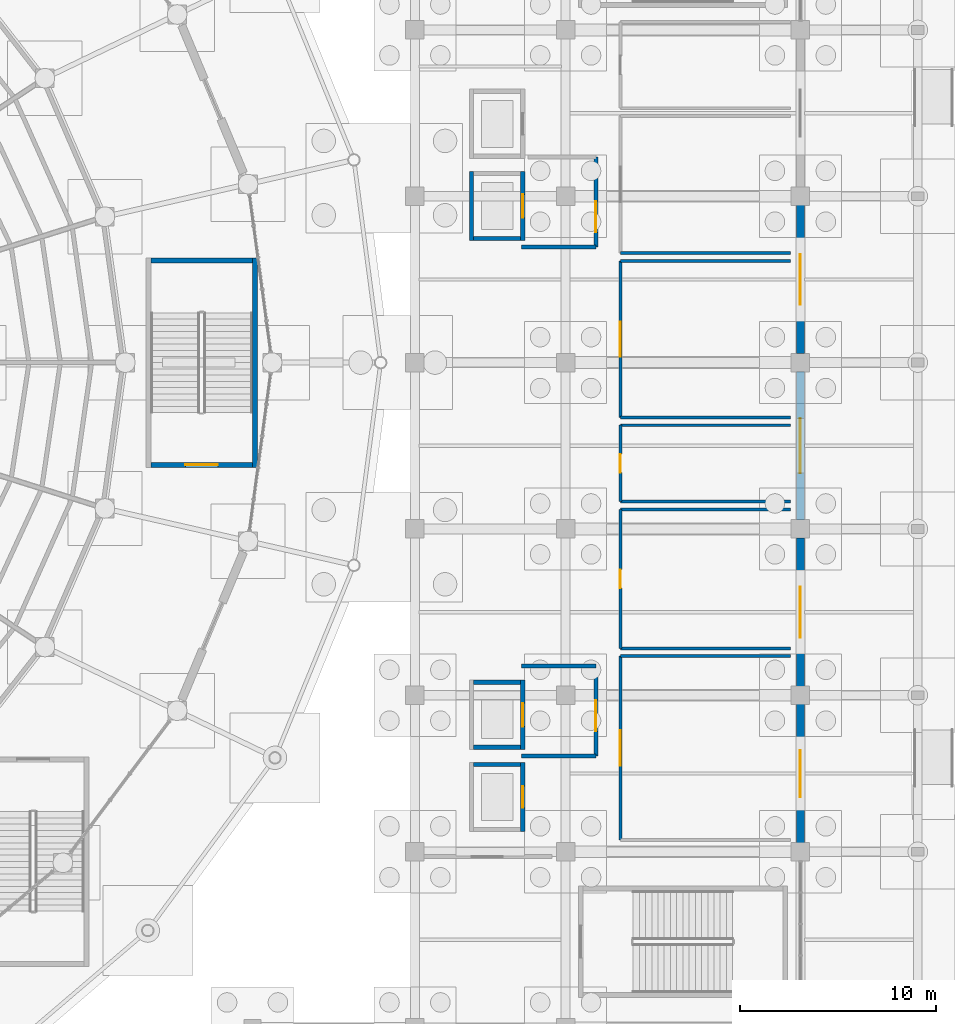
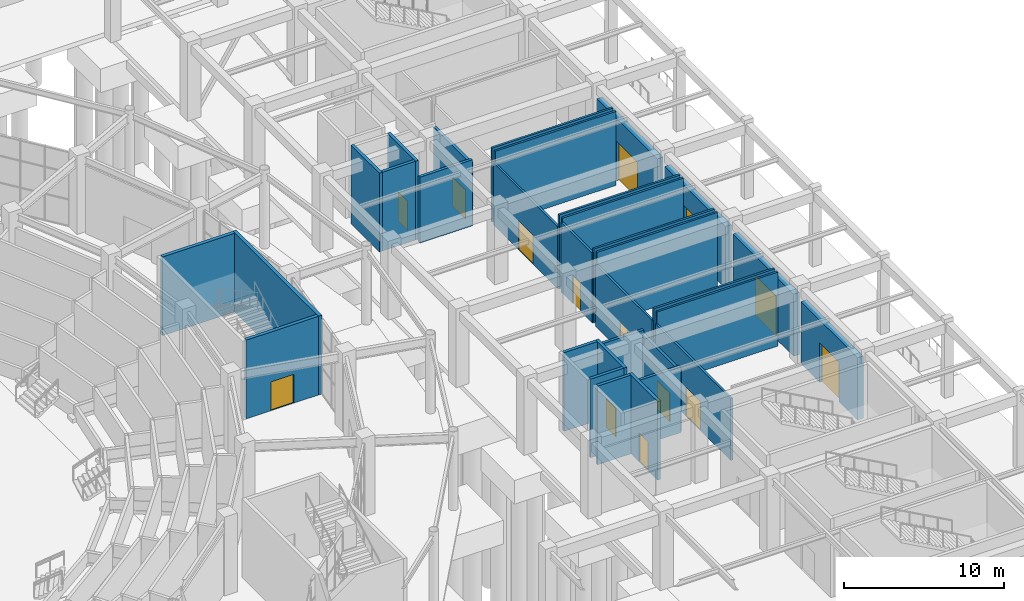
# One storey, part 91 of 121: 32 walls, 14 doors, 14 openings.
"""IFC4 building model written with IfcOpenShell, lengths in metres."""

from ifc_helpers import new_model, si_unit, direction, frame, frame_2d, origin, place, context, subcontext, project, spatial, rectangle, extrude, material, layer, layer_set, type_object, element, fill, save


model = new_model("IFC4")

# Units and contexts
model_context = context("Model", 3, precision=1e-05, world=origin(), true_north=direction((0.0, 1.0)))
body_context = subcontext(model_context, "Body", "Model", "MODEL_VIEW")
ifc_project = project(units=[si_unit("LENGTHUNIT", "METRE"), si_unit("AREAUNIT", "SQUARE_METRE"), si_unit("VOLUMEUNIT", "CUBIC_METRE"), si_unit("PLANEANGLEUNIT", "RADIAN"), si_unit("MASSUNIT", "GRAM", prefix="KILO")], contexts=[model_context])

# Site, building, storey
site_placement = place(None, origin())
site = spatial("IfcSite", under=ifc_project, at=site_placement, CompositionType="ELEMENT")
building_placement = place(site_placement, origin())
building = spatial("IfcBuilding", under=site, at=building_placement, Name="Cuetzalor Civic Arena", CompositionType="ELEMENT")
storey_placement = place(building_placement, origin())
storey = spatial("IfcBuildingStorey", under=building, at=storey_placement, Name="L00", CompositionType="ELEMENT", Elevation=0.0)

# Wall
ifc_material_1 = material(Name="Acoustic steel-stud gypsum partition", Category="steel")
ifc_layer_1 = layer(ifc_material_1, 0.14990234375)
ifc_layer_set_1 = layer_set([ifc_layer_1], Name="Acoustic steel-stud gypsum partition")
wall_type_1 = type_object("IfcWallType", Name="AcousticGypsumPartition_150", PredefinedType="PARTITIONING", material=ifc_layer_set_1)
wall_1_placement = place(storey_placement, frame((66.800048828125, -15.0, 0.0), z_axis=(0.0, 0.0, 1.0), x_axis=(1.0, 0.0, 0.0)))
element("IfcWall", 1, at=wall_1_placement, inside=storey, type_object=wall_type_1, Name="Interior Partition IWALL:L00:0110", PredefinedType="PARTITIONING", context=body_context, shape_type="SweptSolid", body=[
    extrude(rectangle(XDim=8.699951171875, YDim=0.14990234375, at=frame_2d((4.35009765625, 0.0))), origin(), (0.0, 0.0, 1.0), 5.639892578125),
])

# Wall, opening, door
wall_2_placement = place(storey_placement, frame((66.800048828125, -24.39990234375, 0.0), z_axis=(0.0, 0.0, 1.0), x_axis=(0.0, 1.0, 0.0)))
wall_2 = element("IfcWall", 2, at=wall_2_placement, inside=storey, type_object=wall_type_1, Name="Interior Partition IWALL:L00:0112", PredefinedType="PARTITIONING", context=body_context, shape_type="SweptSolid", body=[
    extrude(rectangle(XDim=9.39990234375, YDim=0.14990234375, at=frame_2d((4.699951171875, 0.0))), origin(), (0.0, 0.0, 1.0), 4.72509765625),
])
opening_1_placement = place(wall_2_placement, frame((3.800048828125, 0.0, 0.0)))
opening_1 = element("IfcOpeningElement", 3, at=opening_1_placement, cuts=wall_2, Name="Opening ID-06", PredefinedType="OPENING", context=body_context, shape_type="SweptSolid", body=[
    extrude(rectangle(XDim=1.800048828125, YDim=2.199951171875, at=frame_2d((0.89990234375, 1.10009765625))), frame((0.0, 0.0849609375, 0.0), z_axis=(0.0, -1.0, 0.0), x_axis=(1.0, 0.0, 0.0)), (0.0, 0.0, 1.0), 0.169921875),
])
ifc_material_2 = material(Name="Glazed bronze acoustic double door", Category="metal")
door_type_1 = type_object("IfcDoorType", Name="PublicDoubleDoor_1800x2200", OperationType="DOUBLE_DOOR_SINGLE_SWING", PredefinedType="DOOR", material=ifc_material_2)
door_1_placement = place(opening_1_placement, origin())
door_1 = element("IfcDoor", 4, at=door_1_placement, inside=storey, type_object=door_type_1, Name="Door to Concessions Hall East South L00", OperationType="DOUBLE_DOOR_SINGLE_SWING", OverallHeight=2.199951171875, OverallWidth=1.800048828125, PredefinedType="DOOR", context=body_context, shape_type="SweptSolid", body=[
    extrude(rectangle(XDim=1.800048828125, YDim=2.199951171875, at=frame_2d((0.89990234375, 1.10009765625))), frame((0.0, 0.02490234375, 0.0), z_axis=(0.0, -1.0, 0.0), x_axis=(1.0, 0.0, 0.0)), (0.0, 0.0, 1.0), 0.050048828125),
])
fill(opening_1, door_1)

# Walls
for number, where, z_axis, x_axis, name in (
    (5, (66.800048828125, -7.5, 0.0), (0.0, 0.0, 1.0), (1.0, 0.0, 0.0), "Interior Partition IWALL:L00:0113"),
    (6, (75.5, -14.60009765625, 0.0), (0.0, 0.0, 1.0), (-1.0, 0.0, 0.0), "Interior Partition IWALL:L00:0114"),
):
    element("IfcWall", number, at=place(storey_placement, frame(where, z_axis=z_axis, x_axis=x_axis)), inside=storey, type_object=wall_type_1, Name=name, PredefinedType="PARTITIONING", context=body_context, shape_type="SweptSolid", body=[
        extrude(rectangle(XDim=8.699951171875, YDim=0.14990234375, at=frame_2d((4.35009765625, 0.0))), origin(), (0.0, 0.0, 1.0), 5.639892578125),
    ])

# Wall, opening, door
wall_3_placement = place(storey_placement, frame((66.800048828125, -14.60009765625, 0.0), z_axis=(0.0, 0.0, 1.0), x_axis=(0.0, 1.0, 0.0)))
wall_3 = element("IfcWall", 7, at=wall_3_placement, inside=storey, type_object=wall_type_1, Name="Interior Partition IWALL:L00:0115", PredefinedType="PARTITIONING", context=body_context, shape_type="SweptSolid", body=[
    extrude(rectangle(XDim=7.10009765625, YDim=0.14990234375, at=frame_2d((3.550048828125, 0.0))), origin(), (0.0, 0.0, 1.0), 4.72509765625),
])
opening_2_placement = place(wall_3_placement, frame((3.074951171875, 0.0, 0.0)))
opening_2 = element("IfcOpeningElement", 8, at=opening_2_placement, cuts=wall_3, Name="Opening ID-03", PredefinedType="OPENING", context=body_context, shape_type="SweptSolid", body=[
    extrude(rectangle(XDim=0.949951171875, YDim=2.14990234375, at=frame_2d((0.47509765625, 1.074951171875))), frame((0.0, 0.0849609375, 0.0), z_axis=(0.0, -1.0, 0.0), x_axis=(1.0, 0.0, 0.0)), (0.0, 0.0, 1.0), 0.169921875),
])
ifc_material_3 = material(Name="Painted steel frame and solid timber leaf", Category="steel")
door_type_2 = type_object("IfcDoorType", Name="InteriorSingleDoor_950x2150", OperationType="NOTDEFINED", PredefinedType="DOOR", material=ifc_material_3)
door_2_placement = place(opening_2_placement, origin())
door_2 = element("IfcDoor", 9, at=door_2_placement, inside=storey, type_object=door_type_2, Name="Door to Public Restroom East South L00", OperationType="SINGLE_SWING_RIGHT", OverallHeight=2.14990234375, OverallWidth=0.949951171875, PredefinedType="DOOR", context=body_context, shape_type="SweptSolid", body=[
    extrude(rectangle(XDim=0.949951171875, YDim=2.14990234375, at=frame_2d((0.47509765625, 1.074951171875))), frame((0.0, 0.02490234375, 0.0), z_axis=(0.0, -1.0, 0.0), x_axis=(1.0, 0.0, 0.0)), (0.0, 0.0, 1.0), 0.050048828125),
])
fill(opening_2, door_2)

# Walls
for number, where, z_axis, x_axis, name in (
    (10, (66.800048828125, -3.199951171875, 0.0), (0.0, 0.0, 1.0), (1.0, 0.0, 0.0), "Interior Partition IWALL:L00:0116"),
    (11, (75.5, -7.10009765625, 0.0), (0.0, 0.0, 1.0), (-1.0, 0.0, 0.0), "Interior Partition IWALL:L00:0117"),
):
    element("IfcWall", number, at=place(storey_placement, frame(where, z_axis=z_axis, x_axis=x_axis)), inside=storey, type_object=wall_type_1, Name=name, PredefinedType="PARTITIONING", context=body_context, shape_type="SweptSolid", body=[
        extrude(rectangle(XDim=8.699951171875, YDim=0.14990234375, at=frame_2d((4.35009765625, 0.0))), origin(), (0.0, 0.0, 1.0), 5.639892578125),
    ])

# Wall, opening, door
wall_4_placement = place(storey_placement, frame((66.800048828125, -7.10009765625, 0.0), z_axis=(0.0, 0.0, 1.0), x_axis=(0.0, 1.0, 0.0)))
wall_4 = element("IfcWall", 12, at=wall_4_placement, inside=storey, type_object=wall_type_1, Name="Interior Partition IWALL:L00:0118", PredefinedType="PARTITIONING", context=body_context, shape_type="SweptSolid", body=[
    extrude(rectangle(XDim=3.900146484375, YDim=0.14990234375, at=frame_2d((1.9501953125, 0.0))), origin(), (0.0, 0.0, 1.0), 5.320068359375),
])
opening_3_placement = place(wall_4_placement, frame((1.47509765625, 0.0, 0.0)))
opening_3 = element("IfcOpeningElement", 13, at=opening_3_placement, cuts=wall_4, Name="Opening ID-03", PredefinedType="OPENING", context=body_context, shape_type="SweptSolid", body=[
    extrude(rectangle(XDim=0.949951171875, YDim=2.14990234375, at=frame_2d((0.47509765625, 1.074951171875))), frame((0.0, 0.0849609375, 0.0), z_axis=(0.0, -1.0, 0.0), x_axis=(1.0, 0.0, 0.0)), (0.0, 0.0, 1.0), 0.169921875),
])
door_3_placement = place(opening_3_placement, origin())
door_3 = element("IfcDoor", 14, at=door_3_placement, inside=storey, type_object=door_type_2, Name="Door to Accessible WC East South L00", OperationType="SINGLE_SWING_LEFT", OverallHeight=2.14990234375, OverallWidth=0.949951171875, PredefinedType="DOOR", context=body_context, shape_type="SweptSolid", body=[
    extrude(rectangle(XDim=0.949951171875, YDim=2.14990234375, at=frame_2d((0.47509765625, 1.074951171875))), frame((0.0, 0.02490234375, 0.0), z_axis=(0.0, -1.0, 0.0), x_axis=(1.0, 0.0, 0.0)), (0.0, 0.0, 1.0), 0.050048828125),
])
fill(opening_3, door_3)

# Walls
for number, where, z_axis, x_axis, name in (
    (15, (66.800048828125, 5.199951171875, 0.0), (0.0, 0.0, 1.0), (1.0, 0.0, 0.0), "Interior Partition IWALL:L00:0119"),
    (16, (75.5, -2.800048828125, 0.0), (0.0, 0.0, 1.0), (-1.0, 0.0, 0.0), "Interior Partition IWALL:L00:0120"),
):
    element("IfcWall", number, at=place(storey_placement, frame(where, z_axis=z_axis, x_axis=x_axis)), inside=storey, type_object=wall_type_1, Name=name, PredefinedType="PARTITIONING", context=body_context, shape_type="SweptSolid", body=[
        extrude(rectangle(XDim=8.699951171875, YDim=0.14990234375, at=frame_2d((4.35009765625, 0.0))), origin(), (0.0, 0.0, 1.0), 5.639892578125),
    ])

# Wall, opening, door
wall_5_placement = place(storey_placement, frame((66.800048828125, -2.800048828125, 0.0), z_axis=(0.0, 0.0, 1.0), x_axis=(0.0, 1.0, 0.0)))
wall_5 = element("IfcWall", 17, at=wall_5_placement, inside=storey, type_object=wall_type_1, Name="Interior Partition IWALL:L00:0121", PredefinedType="PARTITIONING", context=body_context, shape_type="SweptSolid", body=[
    extrude(rectangle(XDim=8.0, YDim=0.14990234375, at=frame_2d((4.0, 0.0))), origin(), (0.0, 0.0, 1.0), 4.72509765625),
])
opening_4_placement = place(wall_5_placement, frame((3.10009765625, 0.0, 0.0)))
opening_4 = element("IfcOpeningElement", 18, at=opening_4_placement, cuts=wall_5, Name="Opening ID-06", PredefinedType="OPENING", context=body_context, shape_type="SweptSolid", body=[
    extrude(rectangle(XDim=1.800048828125, YDim=2.199951171875, at=frame_2d((0.89990234375, 1.10009765625))), frame((0.0, 0.0849609375, 0.0), z_axis=(0.0, -1.0, 0.0), x_axis=(1.0, 0.0, 0.0)), (0.0, 0.0, 1.0), 0.169921875),
])
door_4_placement = place(opening_4_placement, origin())
door_4 = element("IfcDoor", 19, at=door_4_placement, inside=storey, type_object=door_type_1, Name="Door to Merchandising Pavilion East L00", OperationType="DOUBLE_DOOR_SINGLE_SWING", OverallHeight=2.199951171875, OverallWidth=1.800048828125, PredefinedType="DOOR", context=body_context, shape_type="SweptSolid", body=[
    extrude(rectangle(XDim=1.800048828125, YDim=2.199951171875, at=frame_2d((0.89990234375, 1.10009765625))), frame((0.0, 0.02490234375, 0.0), z_axis=(0.0, -1.0, 0.0), x_axis=(1.0, 0.0, 0.0)), (0.0, 0.0, 1.0), 0.050048828125),
])
fill(opening_4, door_4)

# Wall
wall_6_placement = place(storey_placement, frame((75.5, 5.60009765625, 0.0), z_axis=(0.0, 0.0, 1.0), x_axis=(-1.0, 0.0, 0.0)))
element("IfcWall", 20, at=wall_6_placement, inside=storey, type_object=wall_type_1, Name="Interior Partition IWALL:L00:0123", PredefinedType="PARTITIONING", context=body_context, shape_type="SweptSolid", body=[
    extrude(rectangle(XDim=8.699951171875, YDim=0.14990234375, at=frame_2d((4.35009765625, 0.0))), origin(), (0.0, 0.0, 1.0), 5.639892578125),
])

# Wall, opening, door
ifc_material_4 = material(Name="Puebla cantera gris stone on Concrete C35/45", Category="masonry")
ifc_layer_2 = layer(ifc_material_4, 0.419921875)
ifc_layer_set_2 = layer_set([ifc_layer_2], Name="Puebla cantera gris stone on Concrete C35/45")
wall_type_2 = type_object("IfcWallType", Name="CanteraStoneArcadeWall_420", PredefinedType="SOLIDWALL", material=ifc_layer_set_2)
wall_7_placement = place(storey_placement, frame((76.0, -17.45703125, 0.0), z_axis=(0.0, 0.0, 1.0), x_axis=(0.0, -1.0, 0.0)))
wall_7 = element("IfcWall", 21, at=wall_7_placement, inside=storey, type_object=wall_type_2, Name="V4E Colonnade Entrance Wall L00-154", PredefinedType="SOLIDWALL", context=body_context, shape_type="SweptSolid", body=[
    extrude(rectangle(XDim=7.0859375, YDim=0.419921875, at=frame_2d((3.54296875, 0.0))), origin(), (0.0, 0.0, 1.0), 4.739990234375),
])
opening_5_placement = place(wall_7_placement, frame((2.343017578125, 0.0, 0.0)))
opening_5 = element("IfcOpeningElement", 22, at=opening_5_placement, cuts=wall_7, Name="Opening ED-01", PredefinedType="OPENING", context=body_context, shape_type="SweptSolid", body=[
    extrude(rectangle(XDim=2.39990234375, YDim=3.0, at=frame_2d((1.199951171875, 1.5))), frame((0.0, 0.219970703125, 0.0), z_axis=(0.0, -1.0, 0.0), x_axis=(1.0, 0.0, 0.0)), (0.0, 0.0, 1.0), 0.43994140625),
])
ifc_material_5 = material(Name="Thermally broken bronze steel and laminated glass", Category="steel")
door_type_3 = type_object("IfcDoorType", Name="MainColonnadeEntrance_2400x3000", OperationType="DOUBLE_DOOR_SINGLE_SWING", PredefinedType="DOOR", material=ifc_material_5)
door_5_placement = place(opening_5_placement, origin())
door_5 = element("IfcDoor", 23, at=door_5_placement, inside=storey, type_object=door_type_3, Name="Main entrance E12", OperationType="DOUBLE_DOOR_SINGLE_SWING", OverallHeight=3.0, OverallWidth=2.39990234375, PredefinedType="DOOR", context=body_context, shape_type="SweptSolid", body=[
    extrude(rectangle(XDim=2.39990234375, YDim=3.0, at=frame_2d((1.199951171875, 1.5))), frame((0.0, 0.02490234375, 0.0), z_axis=(0.0, -1.0, 0.0), x_axis=(1.0, 0.0, 0.0)), (0.0, 0.0, 1.0), 0.050048828125),
])
fill(opening_5, door_5)

wall_8_placement = place(storey_placement, frame((76.0, -8.95703125, 0.0), z_axis=(0.0, 0.0, 1.0), x_axis=(0.0, -1.0, 0.0)))
wall_8 = element("IfcWall", 24, at=wall_8_placement, inside=storey, type_object=wall_type_2, Name="V4E Colonnade Entrance Wall L00-155", PredefinedType="SOLIDWALL", context=body_context, shape_type="SweptSolid", body=[
    extrude(rectangle(XDim=7.5859375, YDim=0.419921875, at=frame_2d((3.79296875, 0.0))), origin(), (0.0, 0.0, 1.0), 4.739990234375),
])
opening_6_placement = place(wall_8_placement, frame((2.492919921875, 0.0, 0.0)))
opening_6 = element("IfcOpeningElement", 25, at=opening_6_placement, cuts=wall_8, Name="Opening ED-02", PredefinedType="OPENING", context=body_context, shape_type="SweptSolid", body=[
    extrude(rectangle(XDim=2.60009765625, YDim=3.0, at=frame_2d((1.300048828125, 1.5))), frame((0.0, 0.219970703125, 0.0), z_axis=(0.0, -1.0, 0.0), x_axis=(1.0, 0.0, 0.0)), (0.0, 0.0, 1.0), 0.43994140625),
])
ifc_material_6 = material(Name="Thermally broken bronze steel and laminated glass", Category="steel")
door_type_4 = type_object("IfcDoorType", Name="MainColonnadeEntrance_2600x3000", OperationType="DOUBLE_DOOR_SINGLE_SWING", PredefinedType="DOOR", material=ifc_material_6)
door_6_placement = place(opening_6_placement, origin())
door_6 = element("IfcDoor", 26, at=door_6_placement, inside=storey, type_object=door_type_4, Name="Main entrance E13", OperationType="DOUBLE_DOOR_SINGLE_SWING", OverallHeight=3.0, OverallWidth=2.60009765625, PredefinedType="DOOR", context=body_context, shape_type="SweptSolid", body=[
    extrude(rectangle(XDim=2.60009765625, YDim=3.0, at=frame_2d((1.300048828125, 1.5))), frame((0.0, 0.02490234375, 0.0), z_axis=(0.0, -1.0, 0.0), x_axis=(1.0, 0.0, 0.0)), (0.0, 0.0, 1.0), 0.050048828125),
])
fill(opening_6, door_6)

wall_9_placement = place(storey_placement, frame((76.0, -0.45703125, 0.0), z_axis=(0.0, 0.0, 1.0), x_axis=(0.0, -1.0, 0.0)))
wall_9 = element("IfcWall", 27, at=wall_9_placement, inside=storey, type_object=wall_type_2, Name="V4E Colonnade Entrance Wall L00-156", PredefinedType="SOLIDWALL", context=body_context, shape_type="SweptSolid", body=[
    extrude(rectangle(XDim=7.5859375, YDim=0.419921875, at=frame_2d((3.79296875, 0.0))), origin(), (0.0, 0.0, 1.0), 4.739990234375),
])
opening_7_placement = place(wall_9_placement, frame((2.39306640625, 0.0, 0.0)))
opening_7 = element("IfcOpeningElement", 28, at=opening_7_placement, cuts=wall_9, Name="Opening ED-03", PredefinedType="OPENING", context=body_context, shape_type="SweptSolid", body=[
    extrude(rectangle(XDim=2.800048828125, YDim=3.199951171875, at=frame_2d((1.39990234375, 1.60009765625))), frame((0.0, 0.219970703125, 0.0), z_axis=(0.0, -1.0, 0.0), x_axis=(1.0, 0.0, 0.0)), (0.0, 0.0, 1.0), 0.43994140625),
])
ifc_material_7 = material(Name="Thermally broken bronze steel and laminated glass", Category="steel")
door_type_5 = type_object("IfcDoorType", Name="MainColonnadeEntrance_2800x3200", OperationType="DOUBLE_DOOR_SINGLE_SWING", PredefinedType="DOOR", material=ifc_material_7)
door_7_placement = place(opening_7_placement, origin())
door_7 = element("IfcDoor", 29, at=door_7_placement, inside=storey, type_object=door_type_5, Name="Main entrance E14", OperationType="DOUBLE_DOOR_SINGLE_SWING", OverallHeight=3.199951171875, OverallWidth=2.800048828125, PredefinedType="DOOR", context=body_context, shape_type="SweptSolid", body=[
    extrude(rectangle(XDim=2.800048828125, YDim=3.199951171875, at=frame_2d((1.39990234375, 1.60009765625))), frame((0.0, 0.02490234375, 0.0), z_axis=(0.0, -1.0, 0.0), x_axis=(1.0, 0.0, 0.0)), (0.0, 0.0, 1.0), 0.050048828125),
])
fill(opening_7, door_7)

wall_10_placement = place(storey_placement, frame((76.0, 8.04296875, 0.0), z_axis=(0.0, 0.0, 1.0), x_axis=(0.0, -1.0, 0.0)))
wall_10 = element("IfcWall", 30, at=wall_10_placement, inside=storey, type_object=wall_type_2, Name="V4E Colonnade Entrance Wall L00-157", PredefinedType="SOLIDWALL", context=body_context, shape_type="SweptSolid", body=[
    extrude(rectangle(XDim=7.5859375, YDim=0.419921875, at=frame_2d((3.79296875, 0.0))), origin(), (0.0, 0.0, 1.0), 4.739990234375),
])
opening_8_placement = place(wall_10_placement, frame((2.492919921875, 0.0, 0.0)))
opening_8 = element("IfcOpeningElement", 31, at=opening_8_placement, cuts=wall_10, Name="Opening ED-02", PredefinedType="OPENING", context=body_context, shape_type="SweptSolid", body=[
    extrude(rectangle(XDim=2.60009765625, YDim=3.0, at=frame_2d((1.300048828125, 1.5))), frame((0.0, 0.219970703125, 0.0), z_axis=(0.0, -1.0, 0.0), x_axis=(1.0, 0.0, 0.0)), (0.0, 0.0, 1.0), 0.43994140625),
])
door_8_placement = place(opening_8_placement, origin())
door_8 = element("IfcDoor", 32, at=door_8_placement, inside=storey, type_object=door_type_4, Name="Main entrance E15", OperationType="DOUBLE_DOOR_SINGLE_SWING", OverallHeight=3.0, OverallWidth=2.60009765625, PredefinedType="DOOR", context=body_context, shape_type="SweptSolid", body=[
    extrude(rectangle(XDim=2.60009765625, YDim=3.0, at=frame_2d((1.300048828125, 1.5))), frame((0.0, 0.02490234375, 0.0), z_axis=(0.0, -1.0, 0.0), x_axis=(1.0, 0.0, 0.0)), (0.0, 0.0, 1.0), 0.050048828125),
])
fill(opening_8, door_8)

# Walls
ifc_material_8 = material(Name="Concrete C40/50", Category="concrete")
ifc_layer_3 = layer(ifc_material_8, 0.25)
ifc_layer_set_3 = layer_set([ifc_layer_3], Name="Concrete C40/50")
wall_type_3 = type_object("IfcWallType", Name="ConcreteCoreShearWall_250", PredefinedType="SHEAR", material=ifc_layer_set_3)
wall_11_placement = place(storey_placement, frame((42.800048828125, 5.22509765625, 0.0), z_axis=(0.0, 0.0, 1.0), x_axis=(1.0, 0.0, 0.0)))
element("IfcWall", 33, at=wall_11_placement, inside=storey, type_object=wall_type_3, Name="Stair Core Shear Wall ST-01-L00-N", PredefinedType="SHEAR", context=body_context, shape_type="SweptSolid", body=[
    extrude(rectangle(XDim=5.199951171875, YDim=0.25, at=frame_2d((2.60009765625, 0.0))), origin(), (0.0, 0.0, 1.0), 6.0),
])
wall_12_placement = place(storey_placement, frame((48.125, 5.35009765625, 0.0), z_axis=(0.0, 0.0, 1.0), x_axis=(0.0, -1.0, 0.0)))
element("IfcWall", 34, at=wall_12_placement, inside=storey, type_object=wall_type_3, Name="Stair Core Shear Wall ST-01-L00-E", PredefinedType="SHEAR", context=body_context, shape_type="SweptSolid", body=[
    extrude(rectangle(XDim=10.7001953125, YDim=0.25, at=frame_2d((5.35009765625, 0.0))), origin(), (0.0, 0.0, 1.0), 6.0),
])

# Wall, opening, door
wall_13_placement = place(storey_placement, frame((48.0, -5.22509765625, 0.0), z_axis=(0.0, 0.0, 1.0), x_axis=(-1.0, 0.0, 0.0)))
wall_13 = element("IfcWall", 35, at=wall_13_placement, inside=storey, type_object=wall_type_3, Name="Stair Core Shear Wall ST-01-L00-S", PredefinedType="SHEAR", context=body_context, shape_type="SweptSolid", body=[
    extrude(rectangle(XDim=5.199951171875, YDim=0.25, at=frame_2d((2.60009765625, 0.0))), origin(), (0.0, 0.0, 1.0), 6.0),
])
opening_9_placement = place(wall_13_placement, frame((1.77490234375, 0.0, 0.0)))
opening_9 = element("IfcOpeningElement", 36, at=opening_9_placement, cuts=wall_13, Name="Opening FD-04", PredefinedType="OPENING", context=body_context, shape_type="SweptSolid", body=[
    extrude(rectangle(XDim=1.64990234375, YDim=2.199951171875, at=frame_2d((0.824951171875, 1.10009765625))), frame((0.0, 0.135009765625, 0.0), z_axis=(0.0, -1.0, 0.0), x_axis=(1.0, 0.0, 0.0)), (0.0, 0.0, 1.0), 0.27001953125),
])
ifc_material_9 = material(Name="Fire-rated steel stair exit double door", Category="steel")
door_type_6 = type_object("IfcDoorType", Name="StairFireDoubleDoor_1650x2200", OperationType="DOUBLE_DOOR_SINGLE_SWING", PredefinedType="DOOR", material=ifc_material_9)
door_9_placement = place(opening_9_placement, origin())
door_9 = element("IfcDoor", 37, at=door_9_placement, inside=storey, type_object=door_type_6, Name="Fire Stair Door ST-01 L00", OperationType="DOUBLE_DOOR_SINGLE_SWING", OverallHeight=2.199951171875, OverallWidth=1.64990234375, PredefinedType="DOOR", context=body_context, shape_type="SweptSolid", body=[
    extrude(rectangle(XDim=1.64990234375, YDim=2.199951171875, at=frame_2d((0.824951171875, 1.10009765625))), frame((0.0, 0.02490234375, 0.0), z_axis=(0.0, -1.0, 0.0), x_axis=(1.0, 0.0, 0.0)), (0.0, 0.0, 1.0), 0.050048828125),
])
fill(opening_9, door_9)

ifc_material_10 = material(Name="Fire-rated masonry and gypsum partition", Category="masonry")
ifc_layer_4 = layer(ifc_material_10, 0.199951171875)
ifc_layer_set_4 = layer_set([ifc_layer_4], Name="Fire-rated masonry and gypsum partition")
wall_type_4 = type_object("IfcWallType", Name="FireCompartmentWall_200", PredefinedType="PARTITIONING", material=ifc_layer_set_4)
wall_14_placement = place(storey_placement, frame((65.550048828125, -15.5, 0.0), z_axis=(0.0, 0.0, 1.0), x_axis=(0.0, -1.0, 0.0)))
wall_14 = element("IfcWall", 38, at=wall_14_placement, inside=storey, type_object=wall_type_4, Name="Interior Partition IWALL:L00:0037", PredefinedType="PARTITIONING", context=body_context, shape_type="SweptSolid", body=[
    extrude(rectangle(XDim=4.60009765625, YDim=0.199951171875, at=frame_2d((2.300048828125, 0.0))), origin(), (0.0, 0.0, 1.0), 4.72509765625),
])
opening_10_placement = place(wall_14_placement, frame((1.75, 0.0, 0.0)))
opening_10 = element("IfcOpeningElement", 39, at=opening_10_placement, cuts=wall_14, Name="Opening FD-05", PredefinedType="OPENING", context=body_context, shape_type="SweptSolid", body=[
    extrude(rectangle(XDim=1.60009765625, YDim=2.199951171875, at=frame_2d((0.800048828125, 1.10009765625))), frame((0.0, 0.10986328125, 0.0), z_axis=(0.0, -1.0, 0.0), x_axis=(1.0, 0.0, 0.0)), (0.0, 0.0, 1.0), 0.219970703125),
])
ifc_material_11 = material(Name="Fire-rated smoke-seal lobby double door", Category="steel")
door_type_7 = type_object("IfcDoorType", Name="FireLobbyDoubleDoor_1600x2200", OperationType="DOUBLE_DOOR_SINGLE_SWING", PredefinedType="DOOR", material=ifc_material_11)
door_10_placement = place(opening_10_placement, origin())
door_10 = element("IfcDoor", 40, at=door_10_placement, inside=storey, type_object=door_type_7, Name="Door to Firefighting Lift Lobby LF-03 L00", OperationType="DOUBLE_DOOR_SINGLE_SWING", OverallHeight=2.199951171875, OverallWidth=1.60009765625, PredefinedType="DOOR", context=body_context, shape_type="SweptSolid", body=[
    extrude(rectangle(XDim=1.60009765625, YDim=2.199951171875, at=frame_2d((0.800048828125, 1.10009765625))), frame((0.0, 0.02490234375, 0.0), z_axis=(0.0, -1.0, 0.0), x_axis=(1.0, 0.0, 0.0)), (0.0, 0.0, 1.0), 0.050048828125),
])
fill(opening_10, door_10)

# Walls
for number, where, z_axis, x_axis, name in (
    (41, (61.75, -15.5, 0.0), (0.0, 0.0, 1.0), (1.0, 0.0, 0.0), "Interior Partition IWALL:L00:0038"),
    (42, (65.550048828125, -20.10009765625, 0.0), (0.0, 0.0, 1.0), (-1.0, 0.0, 0.0), "Interior Partition IWALL:L00:0039"),
):
    element("IfcWall", number, at=place(storey_placement, frame(where, z_axis=z_axis, x_axis=x_axis)), inside=storey, type_object=wall_type_4, Name=name, PredefinedType="PARTITIONING", context=body_context, shape_type="SweptSolid", body=[
        extrude(rectangle(XDim=3.800048828125, YDim=0.199951171875, at=frame_2d((1.89990234375, 0.0))), origin(), (0.0, 0.0, 1.0), 5.02490234375),
    ])

# Wall, opening, door
wall_15_placement = place(storey_placement, frame((65.550048828125, 10.5, 0.0), z_axis=(0.0, 0.0, 1.0), x_axis=(0.0, -1.0, 0.0)))
wall_15 = element("IfcWall", 43, at=wall_15_placement, inside=storey, type_object=wall_type_4, Name="Interior Partition IWALL:L00:0055", PredefinedType="PARTITIONING", context=body_context, shape_type="SweptSolid", body=[
    extrude(rectangle(XDim=4.60009765625, YDim=0.199951171875, at=frame_2d((2.300048828125, 0.0))), origin(), (0.0, 0.0, 1.0), 4.72509765625),
])
opening_11_placement = place(wall_15_placement, frame((2.25, 0.0, 0.0)))
opening_11 = element("IfcOpeningElement", 44, at=opening_11_placement, cuts=wall_15, Name="Opening FD-05", PredefinedType="OPENING", context=body_context, shape_type="SweptSolid", body=[
    extrude(rectangle(XDim=1.60009765625, YDim=2.199951171875, at=frame_2d((0.800048828125, 1.10009765625))), frame((0.0, 0.10986328125, 0.0), z_axis=(0.0, -1.0, 0.0), x_axis=(1.0, 0.0, 0.0)), (0.0, 0.0, 1.0), 0.219970703125),
])
door_11_placement = place(opening_11_placement, origin())
door_11 = element("IfcDoor", 45, at=door_11_placement, inside=storey, type_object=door_type_7, Name="Door to Firefighting Lift Lobby LF-04 L00", OperationType="DOUBLE_DOOR_SINGLE_SWING", OverallHeight=2.199951171875, OverallWidth=1.60009765625, PredefinedType="DOOR", context=body_context, shape_type="SweptSolid", body=[
    extrude(rectangle(XDim=1.60009765625, YDim=2.199951171875, at=frame_2d((0.800048828125, 1.10009765625))), frame((0.0, 0.02490234375, 0.0), z_axis=(0.0, -1.0, 0.0), x_axis=(1.0, 0.0, 0.0)), (0.0, 0.0, 1.0), 0.050048828125),
])
fill(opening_11, door_11)

# Walls
wall_16_placement = place(storey_placement, frame((65.550048828125, 5.89990234375, 0.0), z_axis=(0.0, 0.0, 1.0), x_axis=(-1.0, 0.0, 0.0)))
element("IfcWall", 46, at=wall_16_placement, inside=storey, type_object=wall_type_4, Name="Interior Partition IWALL:L00:0057", PredefinedType="PARTITIONING", context=body_context, shape_type="SweptSolid", body=[
    extrude(rectangle(XDim=3.800048828125, YDim=0.199951171875, at=frame_2d((1.89990234375, 0.0))), origin(), (0.0, 0.0, 1.0), 5.02490234375),
])
ifc_material_12 = material(Name="Concrete C40/50", Category="concrete")
ifc_layer_5 = layer(ifc_material_12, 0.219970703125)
ifc_layer_set_5 = layer_set([ifc_layer_5], Name="Concrete C40/50")
wall_type_5 = type_object("IfcWallType", Name="LiftShaftShearWall_220", PredefinedType="SHEAR", material=ifc_layer_set_5)
wall_17_placement = place(storey_placement, frame((59.300048828125, -16.340087890625, 0.0), z_axis=(0.0, 0.0, 1.0), x_axis=(1.0, 0.0, 0.0)))
element("IfcWall", 47, at=wall_17_placement, inside=storey, type_object=wall_type_5, Name="Lift Shaft Wall LF-03-L00-N", PredefinedType="SHEAR", context=body_context, shape_type="SweptSolid", body=[
    extrude(rectangle(XDim=2.39990234375, YDim=0.219970703125, at=frame_2d((1.199951171875, 0.0))), origin(), (0.0, 0.0, 1.0), 6.0),
])

# Wall, opening, door
wall_18_placement = place(storey_placement, frame((61.81005859375, -16.22998046875, 0.0), z_axis=(0.0, 0.0, 1.0), x_axis=(0.0, -1.0, 0.0)))
wall_18 = element("IfcWall", 48, at=wall_18_placement, inside=storey, type_object=wall_type_5, Name="Lift Shaft Wall LF-03-L00-E", PredefinedType="SHEAR", context=body_context, shape_type="SweptSolid", body=[
    extrude(rectangle(XDim=3.5400390625, YDim=0.219970703125, at=frame_2d((1.77001953125, 0.0))), origin(), (0.0, 0.0, 1.0), 6.0),
])
opening_12_placement = place(wall_18_placement, frame((1.169921875, 0.0, 0.0)))
opening_12 = element("IfcOpeningElement", 49, at=opening_12_placement, cuts=wall_18, Name="Opening LD-02", PredefinedType="OPENING", context=body_context, shape_type="SweptSolid", body=[
    extrude(rectangle(XDim=1.199951171875, YDim=2.199951171875, at=frame_2d((0.60009765625, 1.10009765625))), frame((0.0, 0.1201171875, 0.0), z_axis=(0.0, -1.0, 0.0), x_axis=(1.0, 0.0, 0.0)), (0.0, 0.0, 1.0), 0.239990234375),
])
ifc_material_13 = material(Name="Fire-rated stainless steel sliding lift landing door", Category="steel")
door_type_8 = type_object("IfcDoorType", Name="LiftLandingSlidingDoor_1200x2200", OperationType="SLIDING_TO_LEFT", PredefinedType="DOOR", material=ifc_material_13)
door_12_placement = place(opening_12_placement, origin())
door_12 = element("IfcDoor", 50, at=door_12_placement, inside=storey, type_object=door_type_8, Name="Lift Landing Sliding Door LF-03 L00", OperationType="SLIDING_TO_LEFT", OverallHeight=2.199951171875, OverallWidth=1.199951171875, PredefinedType="DOOR", context=body_context, shape_type="SweptSolid", body=[
    extrude(rectangle(XDim=1.199951171875, YDim=2.199951171875, at=frame_2d((0.60009765625, 1.10009765625))), frame((0.0, 0.02490234375, 0.0), z_axis=(0.0, -1.0, 0.0), x_axis=(1.0, 0.0, 0.0)), (0.0, 0.0, 1.0), 0.050048828125),
])
fill(opening_12, door_12)

# Walls
wall_19_placement = place(storey_placement, frame((61.699951171875, -19.659912109375, 0.0), z_axis=(0.0, 0.0, 1.0), x_axis=(-1.0, 0.0, 0.0)))
element("IfcWall", 51, at=wall_19_placement, inside=storey, type_object=wall_type_5, Name="Lift Shaft Wall LF-03-L00-S", PredefinedType="SHEAR", context=body_context, shape_type="SweptSolid", body=[
    extrude(rectangle(XDim=2.39990234375, YDim=0.219970703125, at=frame_2d((1.199951171875, 0.0))), origin(), (0.0, 0.0, 1.0), 6.0),
])
wall_20_placement = place(storey_placement, frame((59.18994140625, 6.22998046875, 0.0), z_axis=(0.0, 0.0, 1.0), x_axis=(0.0, 1.0, 0.0)))
element("IfcWall", 52, at=wall_20_placement, inside=storey, type_object=wall_type_5, Name="Lift Shaft Wall LF-04-L00-W", PredefinedType="SHEAR", context=body_context, shape_type="SweptSolid", body=[
    extrude(rectangle(XDim=3.5400390625, YDim=0.219970703125, at=frame_2d((1.77001953125, 0.0))), origin(), (0.0, 0.0, 1.0), 6.0),
])

# Wall, opening, door
wall_21_placement = place(storey_placement, frame((61.81005859375, 9.77001953125, 0.0), z_axis=(0.0, 0.0, 1.0), x_axis=(0.0, -1.0, 0.0)))
wall_21 = element("IfcWall", 53, at=wall_21_placement, inside=storey, type_object=wall_type_5, Name="Lift Shaft Wall LF-04-L00-E", PredefinedType="SHEAR", context=body_context, shape_type="SweptSolid", body=[
    extrude(rectangle(XDim=3.5400390625, YDim=0.219970703125, at=frame_2d((1.77001953125, 0.0))), origin(), (0.0, 0.0, 1.0), 6.0),
])
opening_13_placement = place(wall_21_placement, frame((1.169921875, 0.0, 0.0)))
opening_13 = element("IfcOpeningElement", 54, at=opening_13_placement, cuts=wall_21, Name="Opening LD-02", PredefinedType="OPENING", context=body_context, shape_type="SweptSolid", body=[
    extrude(rectangle(XDim=1.199951171875, YDim=2.199951171875, at=frame_2d((0.60009765625, 1.10009765625))), frame((0.0, 0.1201171875, 0.0), z_axis=(0.0, -1.0, 0.0), x_axis=(1.0, 0.0, 0.0)), (0.0, 0.0, 1.0), 0.239990234375),
])
door_13_placement = place(opening_13_placement, origin())
door_13 = element("IfcDoor", 55, at=door_13_placement, inside=storey, type_object=door_type_8, Name="Lift Landing Sliding Door LF-04 L00", OperationType="SLIDING_TO_LEFT", OverallHeight=2.199951171875, OverallWidth=1.199951171875, PredefinedType="DOOR", context=body_context, shape_type="SweptSolid", body=[
    extrude(rectangle(XDim=1.199951171875, YDim=2.199951171875, at=frame_2d((0.60009765625, 1.10009765625))), frame((0.0, 0.02490234375, 0.0), z_axis=(0.0, -1.0, 0.0), x_axis=(1.0, 0.0, 0.0)), (0.0, 0.0, 1.0), 0.050048828125),
])
fill(opening_13, door_13)

# Walls
for number, where, z_axis, x_axis, name in (
    (56, (61.699951171875, 6.340087890625, 0.0), (0.0, 0.0, 1.0), (-1.0, 0.0, 0.0), "Lift Shaft Wall LF-04-L00-S"),
    (57, (59.300048828125, -20.5400390625, 0.0), (0.0, 0.0, 1.0), (1.0, 0.0, 0.0), "Lift Shaft Wall LP-05-L00-N"),
):
    element("IfcWall", number, at=place(storey_placement, frame(where, z_axis=z_axis, x_axis=x_axis)), inside=storey, type_object=wall_type_5, Name=name, PredefinedType="SHEAR", context=body_context, shape_type="SweptSolid", body=[
        extrude(rectangle(XDim=2.39990234375, YDim=0.219970703125, at=frame_2d((1.199951171875, 0.0))), origin(), (0.0, 0.0, 1.0), 6.0),
    ])

# Wall, opening, door
wall_22_placement = place(storey_placement, frame((61.81005859375, -20.429931640625, 0.0), z_axis=(0.0, 0.0, 1.0), x_axis=(0.0, -1.0, 0.0)))
wall_22 = element("IfcWall", 58, at=wall_22_placement, inside=storey, type_object=wall_type_5, Name="Lift Shaft Wall LP-05-L00-E", PredefinedType="SHEAR", context=body_context, shape_type="SweptSolid", body=[
    extrude(rectangle(XDim=3.5400390625, YDim=0.219970703125, at=frame_2d((1.77001953125, 0.0))), origin(), (0.0, 0.0, 1.0), 6.0),
])
opening_14_placement = place(wall_22_placement, frame((1.219970703125, 0.0, 0.0)))
opening_14 = element("IfcOpeningElement", 59, at=opening_14_placement, cuts=wall_22, Name="Opening LD-01", PredefinedType="OPENING", context=body_context, shape_type="SweptSolid", body=[
    extrude(rectangle(XDim=1.10009765625, YDim=2.199951171875, at=frame_2d((0.550048828125, 1.10009765625))), frame((0.0, 0.1201171875, 0.0), z_axis=(0.0, -1.0, 0.0), x_axis=(1.0, 0.0, 0.0)), (0.0, 0.0, 1.0), 0.239990234375),
])
ifc_material_14 = material(Name="Brushed stainless steel sliding lift landing door", Category="steel")
door_type_9 = type_object("IfcDoorType", Name="LiftLandingSlidingDoor_1100x2200", OperationType="SLIDING_TO_LEFT", PredefinedType="DOOR", material=ifc_material_14)
door_14_placement = place(opening_14_placement, origin())
door_14 = element("IfcDoor", 60, at=door_14_placement, inside=storey, type_object=door_type_9, Name="Lift Landing Sliding Door LP-05 L00", OperationType="SLIDING_TO_LEFT", OverallHeight=2.199951171875, OverallWidth=1.10009765625, PredefinedType="DOOR", context=body_context, shape_type="SweptSolid", body=[
    extrude(rectangle(XDim=1.10009765625, YDim=2.199951171875, at=frame_2d((0.550048828125, 1.10009765625))), frame((0.0, 0.02490234375, 0.0), z_axis=(0.0, -1.0, 0.0), x_axis=(1.0, 0.0, 0.0)), (0.0, 0.0, 1.0), 0.050048828125),
])
fill(opening_14, door_14)

save(model, "model.ifc")
